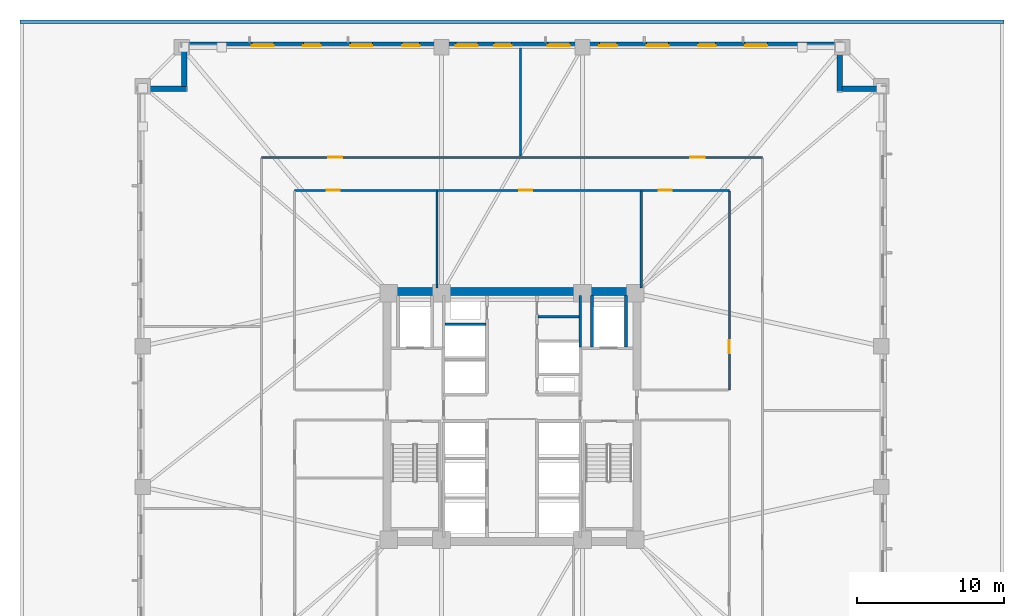
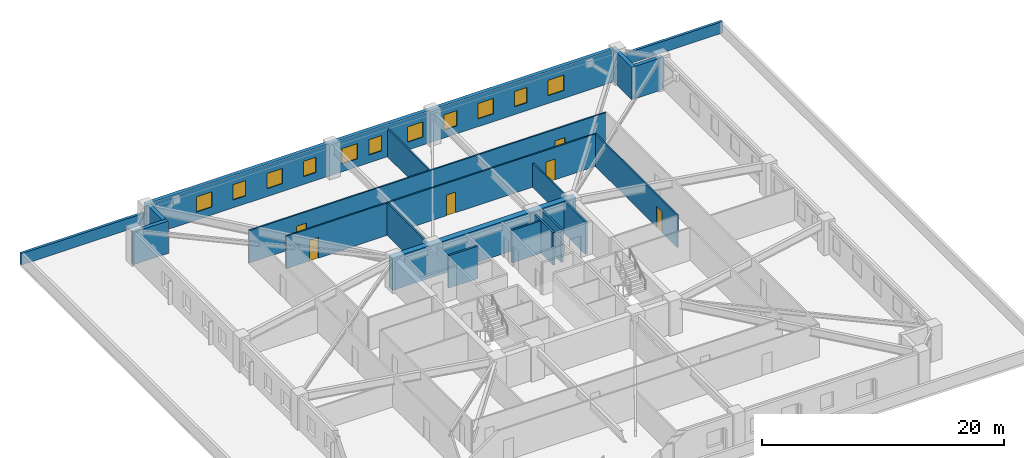
# One storey, part 6 of 12: 18 walls, 11 windows, 6 doors, 17 openings.
"""IFC4 building model written with IfcOpenShell, lengths in metres."""

import ifcopenshell
import ifcopenshell.guid

model = None  # the IFC model being written
_history = None  # IfcOwnerHistory: only IFC2X3 demands one
_inside = {}  # id of a spatial element -> (the spatial element, [elements in it])
_under = {}  # id of a project, library or spatial element -> (it, [spatial elements below it])
_declared = {}  # id of a project -> (the project, [libraries it declares])
_typed = {}  # id of a type object -> (the type object, [elements of that type])
_made_of = {}  # id of a material, layer set ... -> (it, [elements and type objects made of it])


def new_model(schema):
    """Start an empty IFC model of exactly this schema.

    Asked for "IFC4X3", IfcOpenShell would pick the latest addendum, in which some entities
    have other attributes; the version numbers below select the first issue.
    IFC2X3 requires an IfcOwnerHistory on every rooted entity: one is made here for all.
    """
    global model, _history
    if schema == "IFC4X3":
        model = ifcopenshell.file(schema_version=(4, 3, 0, 0))
    else:
        model = ifcopenshell.file(schema=schema)
    _inside.clear()
    _under.clear()
    _declared.clear()
    _typed.clear()
    _made_of.clear()
    _history = None
    if model.schema == "IFC2X3":
        org = make("IfcOrganization", Name="unknown")
        user = make(
            "IfcPersonAndOrganization",
            ThePerson=make("IfcPerson", FamilyName="unknown"),
            TheOrganization=org,
        )
        app = make(
            "IfcApplication",
            ApplicationDeveloper=org,
            Version="unknown",
            ApplicationFullName="unknown",
            ApplicationIdentifier="unknown",
        )
        _history = make(
            "IfcOwnerHistory",
            OwningUser=user,
            OwningApplication=app,
            ChangeAction="ADDED",
            CreationDate=0,
        )
    return model


def make(cls, **values):
    """One entity of the class cls with the attributes given. An attribute that is None is left unset."""
    return model.create_entity(
        cls, **{name: value for name, value in values.items() if value is not None}
    )


def rooted(cls, **values):
    """An entity with a GlobalId (a new one), such as an element, a storey or a relation."""
    return make(cls, GlobalId=ifcopenshell.guid.new(), OwnerHistory=_history, **values)


def si_unit(unit_type, name, prefix=None):
    """IfcSIUnit, for example si_unit("LENGTHUNIT", "METRE", prefix="MILLI")."""
    return make("IfcSIUnit", UnitType=unit_type, Prefix=prefix, Name=name)


def assignment(units):
    """IfcUnitAssignment: the units of a project."""
    return None if units is None else make("IfcUnitAssignment", Units=units)


def point(xyz):
    """IfcCartesianPoint."""
    return None if xyz is None else make("IfcCartesianPoint", Coordinates=xyz)


def direction(xyz):
    """IfcDirection."""
    return None if xyz is None else make("IfcDirection", DirectionRatios=xyz)


def frame(location, z_axis=None, x_axis=None):
    """IfcAxis2Placement3D, a coordinate frame: its origin and axes. An axis left out is left unset."""
    return make(
        "IfcAxis2Placement3D",
        Location=point(location),
        Axis=direction(z_axis),
        RefDirection=direction(x_axis),
    )


def frame_2d(location, x_axis=None):
    """IfcAxis2Placement2D, a coordinate frame in the plane: its origin and x axis."""
    return make(
        "IfcAxis2Placement2D", Location=point(location), RefDirection=direction(x_axis)
    )


def origin():
    """The frame at (0, 0, 0) with its axes left unset."""
    return frame((0.0, 0.0, 0.0))


def place(relative_to, where):
    """IfcLocalPlacement: puts the frame where relative to a parent placement (None: the world)."""
    return make(
        "IfcLocalPlacement", PlacementRelTo=relative_to, RelativePlacement=where
    )


def context(
    kind, dimensions, precision=None, world=None, true_north=None, identifier=None
):
    """IfcGeometricRepresentationContext, for example the 3D "Model" context."""
    return make(
        "IfcGeometricRepresentationContext",
        ContextIdentifier=identifier,
        ContextType=kind,
        CoordinateSpaceDimension=dimensions,
        Precision=precision,
        WorldCoordinateSystem=world,
        TrueNorth=true_north,
    )


def subcontext(parent, identifier, kind, view, scale=None):
    """IfcGeometricRepresentationSubContext, for example "Body" below "Model"."""
    return make(
        "IfcGeometricRepresentationSubContext",
        ContextIdentifier=identifier,
        ContextType=kind,
        ParentContext=parent,
        TargetScale=scale,
        TargetView=view,
    )


def project(units=None, contexts=None):
    """IfcProject with its units and contexts."""
    return rooted(
        "IfcProject",
        Name="project",
        RepresentationContexts=contexts,
        UnitsInContext=assignment(units),
    )


def spatial(cls, under=None, at=None, **own):
    """A site, building, storey or space (cls), placed at a placement, below another one or the project."""
    s = rooted(cls, ObjectPlacement=at, **own)
    if under is not None:
        _under.setdefault(under.id(), (under, []))[1].append(s)
    return s


def profile(cls, at=None, kind="AREA", **sizes):
    """A parametric profile (cls). Its sizes go by their IFC names, for example OverallWidth=200.0."""
    return make(cls, ProfileType=kind, Position=at, **sizes)


def rectangle(**sizes):
    """IfcRectangleProfileDef."""
    return profile("IfcRectangleProfileDef", **sizes)


def extrude(swept, where, along, depth):
    """IfcExtrudedAreaSolid: the profile swept, set in the frame where, extruded along a direction by depth."""
    return make(
        "IfcExtrudedAreaSolid",
        SweptArea=swept,
        Position=where,
        ExtrudedDirection=direction(along),
        Depth=depth,
    )


def shape(context_of_items, identifier, shape_type, items):
    """IfcShapeRepresentation: the items that make up one representation, for example the "Body"."""
    return make(
        "IfcShapeRepresentation",
        ContextOfItems=context_of_items,
        RepresentationIdentifier=identifier,
        RepresentationType=shape_type,
        Items=items,
    )


def material(Name=None, Category=None):
    """IfcMaterial."""
    return make("IfcMaterial", Name=Name, Category=Category)


def layer(
    of_material, thickness, ventilated=None, Name=None, Category=None, Priority=None
):
    """IfcMaterialLayer: one layer of a wall or slab, of a material (None: an air gap)."""
    return make(
        "IfcMaterialLayer",
        Material=of_material,
        LayerThickness=thickness,
        IsVentilated=ventilated,
        Name=Name,
        Category=Category,
        Priority=Priority,
    )


def layer_set(layers, Name=None):
    """IfcMaterialLayerSet."""
    return make("IfcMaterialLayerSet", MaterialLayers=layers, LayerSetName=Name)


def made_of(thing, what):
    """Note that an element or type object is made of a material, layer set ...; save() writes the relation."""
    if what is not None:
        _made_of.setdefault(what.id(), (what, []))[1].append(thing)
    return thing


def type_object(cls, material=None, **own):
    """A type object (cls), such as IfcWallType, which elements share."""
    return made_of(rooted(cls, **own), material)


def element(
    cls,
    number,
    at=None,
    inside=None,
    cuts=None,
    type_object=None,
    material=None,
    context=None,
    identifier="Body",
    shape_type=None,
    held_by="IfcProductDefinitionShape",
    body=None,
    shapes=None,
    **own,
):
    """One element of the class cls, such as IfcWall. Its Tag is "e" and its number.

    at: its placement. inside: the storey or other place that contains it. cuts: it is an
    opening in that element (IfcRelVoidsElement). A single representation is given by context,
    identifier, shape_type and body (its items); several are given by shapes. held_by: the class
    of the entity that holds the representations. save() writes the other relations.
    """
    e = rooted(cls, Tag="e%d" % number, ObjectPlacement=at, **own)
    if body is not None:
        shapes = [shape(context, identifier, shape_type, body)]
    if shapes is not None:
        e.Representation = make(held_by, Representations=shapes)
    if inside is not None:
        _inside.setdefault(inside.id(), (inside, []))[1].append(e)
    if cuts is not None:
        rooted(
            "IfcRelVoidsElement", RelatingBuildingElement=cuts, RelatedOpeningElement=e
        )
    if type_object is not None:
        _typed.setdefault(type_object.id(), (type_object, []))[1].append(e)
    return made_of(e, material)


def fill(opening, filler):
    """IfcRelFillsElement: the door or window that sits in an opening."""
    return rooted(
        "IfcRelFillsElement",
        RelatingOpeningElement=opening,
        RelatedBuildingElement=filler,
    )


def aggregate(whole, parts):
    """IfcRelAggregates: a whole, such as a stair, and the parts it consists of."""
    return rooted("IfcRelAggregates", RelatingObject=whole, RelatedObjects=parts)


def save(model, path):
    """Write the relations noted so far, then the file.

    IfcRelAggregates (storeys below a building ...), IfcRelContainedInSpatialStructure (elements
    in a storey), IfcRelDefinesByType, IfcRelAssociatesMaterial and IfcRelDeclares: one each for
    every whole, place, type object, material and project.
    """
    for whole, parts in _under.values():
        aggregate(whole, parts)
    for where, things in _inside.values():
        rooted(
            "IfcRelContainedInSpatialStructure",
            RelatedElements=things,
            RelatingStructure=where,
        )
    for kind, things in _typed.values():
        rooted("IfcRelDefinesByType", RelatedObjects=things, RelatingType=kind)
    for what, things in _made_of.values():
        rooted("IfcRelAssociatesMaterial", RelatedObjects=things, RelatingMaterial=what)
    for by, libraries in _declared.values():
        rooted("IfcRelDeclares", RelatingContext=by, RelatedDefinitions=libraries)
    model.write(path)


model = new_model("IFC4")

# Units and contexts
model_context = context("Model", 3, precision=1e-05, world=origin(), true_north=direction((0.0, 1.0)))
body_context = subcontext(model_context, "Body", "Model", "MODEL_VIEW")
ifc_project = project(units=[si_unit("LENGTHUNIT", "METRE"), si_unit("AREAUNIT", "SQUARE_METRE"), si_unit("VOLUMEUNIT", "CUBIC_METRE"), si_unit("PLANEANGLEUNIT", "RADIAN"), si_unit("MASSUNIT", "GRAM", prefix="KILO")], contexts=[model_context])

# Site, building, storey
site_placement = place(None, origin())
site = spatial("IfcSite", under=ifc_project, at=site_placement, CompositionType="ELEMENT")
building_placement = place(site_placement, origin())
building = spatial("IfcBuilding", under=site, at=building_placement, Name="Cairnveth Concourse Tower", CompositionType="ELEMENT")
storey_placement = place(building_placement, frame((0.0, 0.0, 23.5)))
storey = spatial("IfcBuildingStorey", under=building, at=storey_placement, Name="L05", CompositionType="ELEMENT", Elevation=23.5)

# Walls
ifc_material_1 = material(Name="Gypsum Plasterboard Partition", Category="gypsum")
ifc_layer_1 = layer(ifc_material_1, 0.159912109375)
ifc_layer_set_1 = layer_set([ifc_layer_1], Name="Gypsum Plasterboard Partition")
wall_type_1 = type_object("IfcWallType", Name="ACOUSTIC PARTY WALL 180", PredefinedType="PARTITIONING", material=ifc_layer_set_1)
wall_1_placement = place(storey_placement, frame((53.784912109375, 45.800048828125, 0.0), z_axis=(0.0, 0.0, 1.0), x_axis=(1.0, 0.0, 0.0)))
element("IfcWall", 1, at=wall_1_placement, inside=storey, type_object=wall_type_1, Name="Interior Wall IW-L05-037", PredefinedType="PARTITIONING", context=body_context, shape_type="SweptSolid", body=[
    extrude(rectangle(XDim=2.7900390625, YDim=0.159912109375, at=frame_2d((1.39501953125, 0.0))), origin(), (0.0, 0.0, 1.0), 3.280029296875),
])
ifc_material_2 = material(Name="Concrete N80 (80 MPa)", Category="concrete")
ifc_layer_2 = layer(ifc_material_2, 0.550048828125)
ifc_layer_set_2 = layer_set([ifc_layer_2], Name="Concrete N80 (80 MPa)")
wall_type_2 = type_object("IfcWallType", Name="CORE SHEAR WALL 550", PredefinedType="SHEAR", material=ifc_layer_set_2)
wall_2_placement = place(storey_placement, frame((43.22509765625, 47.5, 0.0), z_axis=(0.0, 0.0, 1.0), x_axis=(1.0, 0.0, 0.0)))
element("IfcWall", 2, at=wall_2_placement, inside=storey, type_object=wall_type_2, Name="Core North Shear Wall L05", PredefinedType="SHEAR", context=body_context, shape_type="SweptSolid", body=[
    extrude(rectangle(XDim=17.5498046875, YDim=0.550048828125, at=frame_2d((8.77490234375, 0.0))), origin(), (0.0, 0.0, 1.0), 3.280029296875),
])
ifc_material_3 = material(Name="Concrete N50 (50 MPa)", Category="concrete")
ifc_layer_3 = layer(ifc_material_3, 0.179931640625)
ifc_layer_set_3 = layer_set([ifc_layer_3], Name="Concrete N50 (50 MPa)")
wall_type_3 = type_object("IfcWallType", Name="FIRE SHAFT WALL 180", PredefinedType="SOLIDWALL", material=ifc_layer_set_3)
wall_3_placement = place(storey_placement, frame((47.425048828125, 45.280029296875, 0.0), z_axis=(0.0, 0.0, 1.0), x_axis=(1.0, 0.0, 0.0)))
element("IfcWall", 3, at=wall_3_placement, inside=storey, type_object=wall_type_3, Name="Interior Wall IW-L05-033", PredefinedType="SOLIDWALL", context=body_context, shape_type="SweptSolid", body=[
    extrude(rectangle(XDim=2.7900390625, YDim=0.179931640625, at=frame_2d((1.39501953125, 0.0))), origin(), (0.0, 0.0, 1.0), 3.280029296875),
])
wall_4_placement = place(storey_placement, frame((56.64990234375, 43.735107421875, 0.0), z_axis=(0.0, 0.0, 1.0), x_axis=(0.0, 1.0, 0.0)))
element("IfcWall", 4, at=wall_4_placement, inside=storey, type_object=wall_type_3, Name="Interior Wall IW-L05-034", PredefinedType="SOLIDWALL", context=body_context, shape_type="SweptSolid", body=[
    extrude(rectangle(XDim=3.5048828125, YDim=0.179931640625, at=frame_2d((1.75244140625, 0.0))), origin(), (0.0, 0.0, 1.0), 3.280029296875),
])
ifc_layer_4 = layer(ifc_material_3, 0.199951171875)
ifc_layer_set_4 = layer_set([ifc_layer_4], Name="Concrete N50 (50 MPa)")
wall_type_4 = type_object("IfcWallType", Name="FIRE SHAFT WALL 200", PredefinedType="SOLIDWALL", material=ifc_layer_set_4)
for number, where, z_axis, x_axis, name in (
    (5, (57.449951171875, 43.735107421875, 0.0), (0.0, 0.0, 1.0), (0.0, 1.0, 0.0), "Interior Wall IW-L05-023"),
    (6, (59.75, 43.735107421875, 0.0), (0.0, 0.0, 1.0), (0.0, 1.0, 0.0), "Interior Wall IW-L05-024"),
):
    element("IfcWall", number, at=place(storey_placement, frame(where, z_axis=z_axis, x_axis=x_axis)), inside=storey, type_object=wall_type_4, Name=name, PredefinedType="SOLIDWALL", context=body_context, shape_type="SweptSolid", body=[
        extrude(rectangle(XDim=3.5048828125, YDim=0.199951171875, at=frame_2d((1.75244140625, 0.0))), origin(), (0.0, 0.0, 1.0), 3.280029296875),
    ])

# Wall, openings, doors
ifc_layer_5 = layer(ifc_material_1, 0.139892578125)
ifc_layer_set_5 = layer_set([ifc_layer_5], Name="Gypsum Plasterboard Partition")
wall_type_5 = type_object("IfcWallType", Name="GYPSUM STUD PARTITION 140", PredefinedType="PARTITIONING", material=ifc_layer_set_5)
wall_5_placement = place(storey_placement, frame((34.949951171875, 56.64990234375, 0.0), z_axis=(0.0, 0.0, 1.0), x_axis=(1.0, 0.0, 0.0)))
wall_5 = element("IfcWall", 7, at=wall_5_placement, inside=storey, type_object=wall_type_5, Name="Interior Wall IW-L05-039", PredefinedType="PARTITIONING", context=body_context, shape_type="SweptSolid", body=[
    extrude(rectangle(XDim=34.10009765625, YDim=0.139892578125, at=frame_2d((17.050048828125, 0.0))), origin(), (0.0, 0.0, 1.0), 3.280029296875),
])
opening_1_placement = place(wall_5_placement, frame((4.5224609375, 0.0, 0.0)))
opening_1 = element("IfcOpeningElement", 8, at=opening_1_placement, cuts=wall_5, Name="Opening ID11", PredefinedType="OPENING", context=body_context, shape_type="SweptSolid", body=[
    extrude(rectangle(XDim=0.9599609375, YDim=2.1201171875, at=frame_2d((0.47998046875, 1.06005859375))), frame((0.0, 0.079833984375, 0.0), z_axis=(0.0, -1.0, 0.0), x_axis=(1.0, 0.0, 0.0)), (0.0, 0.0, 1.0), 0.159912109375),
])
opening_2_placement = place(wall_5_placement, frame((29.202392578125, 0.0, 0.0)))
opening_2 = element("IfcOpeningElement", 9, at=opening_2_placement, cuts=wall_5, Name="Opening ID11", PredefinedType="OPENING", context=body_context, shape_type="SweptSolid", body=[
    extrude(rectangle(XDim=0.9599609375, YDim=2.1201171875, at=frame_2d((0.47998046875, 1.06005859375))), frame((0.0, 0.079833984375, 0.0), z_axis=(0.0, -1.0, 0.0), x_axis=(1.0, 0.0, 0.0)), (0.0, 0.0, 1.0), 0.159912109375),
])
ifc_material_4 = material(Name="Solid Core Hardwood Timber Leaf", Category="wood")
door_type_1 = type_object("IfcDoorType", Name="INTERIOR SINGLE DOOR 960X2150", OperationType="NOTDEFINED", PredefinedType="DOOR", material=ifc_material_4)
door_1_placement = place(opening_1_placement, origin())
door_1 = element("IfcDoor", 10, at=door_1_placement, inside=storey, type_object=door_type_1, Name="Office Door L05-N1", OperationType="SINGLE_SWING_LEFT", OverallHeight=2.1201171875, OverallWidth=0.9599609375, PredefinedType="DOOR", context=body_context, shape_type="SweptSolid", body=[
    extrude(rectangle(XDim=0.9599609375, YDim=2.1201171875, at=frame_2d((0.47998046875, 1.06005859375))), frame((0.0, 0.02490234375, 0.0), z_axis=(0.0, -1.0, 0.0), x_axis=(1.0, 0.0, 0.0)), (0.0, 0.0, 1.0), 0.050048828125),
])
fill(opening_1, door_1)
door_2_placement = place(opening_2_placement, origin())
door_2 = element("IfcDoor", 11, at=door_2_placement, inside=storey, type_object=door_type_1, Name="Office Door L05-N2", OperationType="SINGLE_SWING_RIGHT", OverallHeight=2.1201171875, OverallWidth=0.9599609375, PredefinedType="DOOR", context=body_context, shape_type="SweptSolid", body=[
    extrude(rectangle(XDim=0.9599609375, YDim=2.1201171875, at=frame_2d((0.47998046875, 1.06005859375))), frame((0.0, 0.02490234375, 0.0), z_axis=(0.0, -1.0, 0.0), x_axis=(1.0, 0.0, 0.0)), (0.0, 0.0, 1.0), 0.050048828125),
])
fill(opening_2, door_2)

wall_6_placement = place(storey_placement, frame((37.199951171875, 54.39990234375, 0.0), z_axis=(0.0, 0.0, 1.0), x_axis=(1.0, 0.0, 0.0)))
wall_6 = element("IfcWall", 12, at=wall_6_placement, inside=storey, type_object=wall_type_5, Name="Interior Wall IW-L05-043", PredefinedType="PARTITIONING", context=body_context, shape_type="SweptSolid", body=[
    extrude(rectangle(XDim=29.60009765625, YDim=0.139892578125, at=frame_2d((14.800048828125, 0.0))), origin(), (0.0, 0.0, 1.0), 3.280029296875),
])
opening_3_placement = place(wall_6_placement, frame((2.199951171875, 0.0, 0.0)))
opening_3 = element("IfcOpeningElement", 13, at=opening_3_placement, cuts=wall_6, Name="Opening ID18", PredefinedType="OPENING", context=body_context, shape_type="SweptSolid", body=[
    extrude(rectangle(XDim=0.8798828125, YDim=2.10009765625, at=frame_2d((0.43994140625, 1.050048828125))), frame((0.0, 0.079833984375, 0.0), z_axis=(0.0, -1.0, 0.0), x_axis=(1.0, 0.0, 0.0)), (0.0, 0.0, 1.0), 0.159912109375),
])
opening_4_placement = place(wall_6_placement, frame((15.300048828125, 0.0, 0.0)))
opening_4 = element("IfcOpeningElement", 14, at=opening_4_placement, cuts=wall_6, Name="Opening ID18", PredefinedType="OPENING", context=body_context, shape_type="SweptSolid", body=[
    extrude(rectangle(XDim=0.8798828125, YDim=2.10009765625, at=frame_2d((0.43994140625, 1.050048828125))), frame((0.0, 0.079833984375, 0.0), z_axis=(0.0, -1.0, 0.0), x_axis=(1.0, 0.0, 0.0)), (0.0, 0.0, 1.0), 0.159912109375),
])
opening_5_placement = place(wall_6_placement, frame((24.800048828125, 0.0, 0.0)))
opening_5 = element("IfcOpeningElement", 15, at=opening_5_placement, cuts=wall_6, Name="Opening ID18", PredefinedType="OPENING", context=body_context, shape_type="SweptSolid", body=[
    extrude(rectangle(XDim=0.8798828125, YDim=2.10009765625, at=frame_2d((0.43994140625, 1.050048828125))), frame((0.0, 0.079833984375, 0.0), z_axis=(0.0, -1.0, 0.0), x_axis=(1.0, 0.0, 0.0)), (0.0, 0.0, 1.0), 0.159912109375),
])
door_type_2 = type_object("IfcDoorType", Name="INTERIOR SINGLE DOOR 880X2100", OperationType="NOTDEFINED", PredefinedType="DOOR", material=ifc_material_4)
door_3_placement = place(opening_3_placement, origin())
door_3 = element("IfcDoor", 16, at=door_3_placement, inside=storey, type_object=door_type_2, Name="Interior Door DR-L05-017", OperationType="SINGLE_SWING_LEFT", OverallHeight=2.10009765625, OverallWidth=0.8798828125, PredefinedType="DOOR", context=body_context, shape_type="SweptSolid", body=[
    extrude(rectangle(XDim=0.8798828125, YDim=2.10009765625, at=frame_2d((0.43994140625, 1.050048828125))), frame((0.0, 0.02490234375, 0.0), z_axis=(0.0, -1.0, 0.0), x_axis=(1.0, 0.0, 0.0)), (0.0, 0.0, 1.0), 0.050048828125),
])
fill(opening_3, door_3)
door_4_placement = place(opening_4_placement, origin())
door_4 = element("IfcDoor", 17, at=door_4_placement, inside=storey, type_object=door_type_2, Name="Interior Door DR-L05-018", OperationType="SINGLE_SWING_RIGHT", OverallHeight=2.10009765625, OverallWidth=0.8798828125, PredefinedType="DOOR", context=body_context, shape_type="SweptSolid", body=[
    extrude(rectangle(XDim=0.8798828125, YDim=2.10009765625, at=frame_2d((0.43994140625, 1.050048828125))), frame((0.0, 0.02490234375, 0.0), z_axis=(0.0, -1.0, 0.0), x_axis=(1.0, 0.0, 0.0)), (0.0, 0.0, 1.0), 0.050048828125),
])
fill(opening_4, door_4)
door_5_placement = place(opening_5_placement, origin())
door_5 = element("IfcDoor", 18, at=door_5_placement, inside=storey, type_object=door_type_2, Name="Interior Door DR-L05-019", OperationType="SINGLE_SWING_LEFT", OverallHeight=2.10009765625, OverallWidth=0.8798828125, PredefinedType="DOOR", context=body_context, shape_type="SweptSolid", body=[
    extrude(rectangle(XDim=0.8798828125, YDim=2.10009765625, at=frame_2d((0.43994140625, 1.050048828125))), frame((0.0, 0.02490234375, 0.0), z_axis=(0.0, -1.0, 0.0), x_axis=(1.0, 0.0, 0.0)), (0.0, 0.0, 1.0), 0.050048828125),
])
fill(opening_5, door_5)

# Wall, opening, door
wall_7_placement = place(storey_placement, frame((66.800048828125, 40.800048828125, 0.0), z_axis=(0.0, 0.0, 1.0), x_axis=(0.0, 1.0, 0.0)))
wall_7 = element("IfcWall", 19, at=wall_7_placement, inside=storey, type_object=wall_type_5, Name="Interior Wall IW-L05-049", PredefinedType="PARTITIONING", context=body_context, shape_type="SweptSolid", body=[
    extrude(rectangle(XDim=13.544921875, YDim=0.139892578125, at=frame_2d((6.7724609375, 0.0))), origin(), (0.0, 0.0, 1.0), 3.280029296875),
])
opening_6_placement = place(wall_7_placement, frame((2.5, 0.0, 0.0)))
opening_6 = element("IfcOpeningElement", 20, at=opening_6_placement, cuts=wall_7, Name="Opening ID18", PredefinedType="OPENING", context=body_context, shape_type="SweptSolid", body=[
    extrude(rectangle(XDim=0.8798828125, YDim=2.10009765625, at=frame_2d((0.43994140625, 1.050048828125))), frame((0.0, 0.079833984375, 0.0), z_axis=(0.0, -1.0, 0.0), x_axis=(1.0, 0.0, 0.0)), (0.0, 0.0, 1.0), 0.159912109375),
])
door_6_placement = place(opening_6_placement, origin())
door_6 = element("IfcDoor", 21, at=door_6_placement, inside=storey, type_object=door_type_2, Name="Interior Door DR-L05-024", OperationType="SINGLE_SWING_RIGHT", OverallHeight=2.10009765625, OverallWidth=0.8798828125, PredefinedType="DOOR", context=body_context, shape_type="SweptSolid", body=[
    extrude(rectangle(XDim=0.8798828125, YDim=2.10009765625, at=frame_2d((0.43994140625, 1.050048828125))), frame((0.0, 0.02490234375, 0.0), z_axis=(0.0, -1.0, 0.0), x_axis=(1.0, 0.0, 0.0)), (0.0, 0.0, 1.0), 0.050048828125),
])
fill(opening_6, door_6)

# Walls
wall_8_placement = place(storey_placement, frame((46.89990234375, 47.760009765625, 0.0), z_axis=(0.0, 0.0, 1.0), x_axis=(0.0, 1.0, 0.0)))
element("IfcWall", 22, at=wall_8_placement, inside=storey, type_object=wall_type_5, Name="Interior Wall IW-L05-054", PredefinedType="PARTITIONING", context=body_context, shape_type="SweptSolid", body=[
    extrude(rectangle(XDim=6.5849609375, YDim=0.139892578125, at=frame_2d((3.29248046875, 0.0))), origin(), (0.0, 0.0, 1.0), 3.280029296875),
])
wall_9_placement = place(storey_placement, frame((60.800048828125, 47.760009765625, 0.0), z_axis=(0.0, 0.0, 1.0), x_axis=(0.0, 1.0, 0.0)))
element("IfcWall", 23, at=wall_9_placement, inside=storey, type_object=wall_type_5, Name="Interior Wall IW-L05-055", PredefinedType="PARTITIONING", context=body_context, shape_type="SweptSolid", body=[
    extrude(rectangle(XDim=6.5849609375, YDim=0.139892578125, at=frame_2d((3.29248046875, 0.0))), origin(), (0.0, 0.0, 1.0), 2.43896484375),
])
wall_10_placement = place(storey_placement, frame((52.5849609375, 56.75, 0.0), z_axis=(0.0, 0.0, 1.0), x_axis=(0.0, 1.0, 0.0)))
element("IfcWall", 24, at=wall_10_placement, inside=storey, type_object=wall_type_5, Name="Interior Wall IW-L05-058", PredefinedType="PARTITIONING", context=body_context, shape_type="SweptSolid", body=[
    extrude(rectangle(XDim=7.330078125, YDim=0.139892578125, at=frame_2d((3.6650390625, 0.0))), origin(), (0.0, 0.0, 1.0), 2.84912109375),
])
ifc_material_5 = material(Name="Hawthorn Red-Ochre Fired Clay Brick Masonry", Category="masonry")
ifc_layer_6 = layer(ifc_material_5, 0.25)
ifc_layer_set_6 = layer_set([ifc_layer_6], Name="Hawthorn Red-Ochre Fired Clay Brick Masonry")
wall_type_6 = type_object("IfcWallType", Name="ROOF MASONRY PARAPET WALL 250", PredefinedType="PARAPET", material=ifc_layer_set_6)
wall_11_placement = place(storey_placement, frame((18.5, 65.8701171875, 0.0), z_axis=(0.0, 0.0, 1.0), x_axis=(1.0, 0.0, 0.0)))
element("IfcWall", 25, at=wall_11_placement, inside=storey, type_object=wall_type_6, Name="Exterior Wall EP-L05-POD-N", PredefinedType="PARAPET", context=body_context, shape_type="SweptSolid", body=[
    extrude(rectangle(XDim=67.0, YDim=0.25, at=frame_2d((33.5, 0.0))), origin(), (0.0, 0.0, 1.0), 1.14990234375),
])
ifc_layer_7 = layer(ifc_material_5, 0.360107421875)
ifc_layer_set_7 = layer_set([ifc_layer_7], Name="Hawthorn Red-Ochre Fired Clay Brick Masonry")
wall_type_7 = type_object("IfcWallType", Name="ZONE 1 BRICK PIER SPANDREL WALL 360", PredefinedType="SOLIDWALL", material=ifc_layer_set_7)
wall_12_placement = place(storey_placement, frame((26.5, 61.320068359375, 0.0), z_axis=(0.0, 0.0, 1.0), x_axis=(1.0, 0.0, 0.0)))
element("IfcWall", 26, at=wall_12_placement, inside=storey, type_object=wall_type_7, Name="Exterior Wall EW-L05-S04", PredefinedType="SOLIDWALL", context=body_context, shape_type="SweptSolid", body=[
    extrude(rectangle(XDim=3.360107421875, YDim=0.360107421875, at=frame_2d((1.68017578125, 0.0))), origin(), (0.0, 0.0, 1.0), 3.280029296875),
])
wall_13_placement = place(storey_placement, frame((29.679931640625, 61.47802734375, 0.0), z_axis=(0.0, 0.0, 1.0), x_axis=(0.0, 1.0, 0.0)))
element("IfcWall", 27, at=wall_13_placement, inside=storey, type_object=wall_type_7, Name="Exterior Wall EW-L05-S05", PredefinedType="SOLIDWALL", context=body_context, shape_type="SweptSolid", body=[
    extrude(rectangle(XDim=2.68408203125, YDim=0.360107421875, at=frame_2d((1.342041015625, 0.0))), origin(), (0.0, 0.0, 1.0), 3.280029296875),
])

# Wall, openings, windows
wall_14_placement = place(storey_placement, frame((29.5, 64.320068359375, 0.0), z_axis=(0.0, 0.0, 1.0), x_axis=(1.0, 0.0, 0.0)))
wall_14 = element("IfcWall", 28, at=wall_14_placement, inside=storey, type_object=wall_type_7, Name="Exterior Wall EW-L05-S06", PredefinedType="SOLIDWALL", context=body_context, shape_type="SweptSolid", body=[
    extrude(rectangle(XDim=44.662109375, YDim=0.360107421875, at=frame_2d((22.3310546875, 0.0))), origin(), (0.0, 0.0, 1.0), 3.280029296875),
])
opening_7_placement = place(wall_14_placement, frame((4.780029296875, 0.0, 0.800048828125)))
opening_7 = element("IfcOpeningElement", 29, at=opening_7_placement, cuts=wall_14, Name="Opening W03", PredefinedType="OPENING", context=body_context, shape_type="SweptSolid", body=[
    extrude(rectangle(XDim=1.5, YDim=1.5439453125, at=frame_2d((0.75, 0.77197265625))), frame((0.0, 0.18994140625, 0.0), z_axis=(0.0, -1.0, 0.0), x_axis=(1.0, 0.0, 0.0)), (0.0, 0.0, 1.0), 0.380126953125),
])
opening_8_placement = place(wall_14_placement, frame((8.290283203125, 0.0, 0.800048828125)))
opening_8 = element("IfcOpeningElement", 30, at=opening_8_placement, cuts=wall_14, Name="Opening W01", PredefinedType="OPENING", context=body_context, shape_type="SweptSolid", body=[
    extrude(rectangle(XDim=1.199951171875, YDim=1.5439453125, at=frame_2d((0.60009765625, 0.77197265625))), frame((0.0, 0.18994140625, 0.0), z_axis=(0.0, -1.0, 0.0), x_axis=(1.0, 0.0, 0.0)), (0.0, 0.0, 1.0), 0.380126953125),
])
opening_9_placement = place(wall_14_placement, frame((11.50048828125, 0.0, 0.800048828125)))
opening_9 = element("IfcOpeningElement", 31, at=opening_9_placement, cuts=wall_14, Name="Opening W03", PredefinedType="OPENING", context=body_context, shape_type="SweptSolid", body=[
    extrude(rectangle(XDim=1.5, YDim=1.5439453125, at=frame_2d((0.75, 0.77197265625))), frame((0.0, 0.18994140625, 0.0), z_axis=(0.0, -1.0, 0.0), x_axis=(1.0, 0.0, 0.0)), (0.0, 0.0, 1.0), 0.380126953125),
])
opening_10_placement = place(wall_14_placement, frame((15.010498046875, 0.0, 0.800048828125)))
opening_10 = element("IfcOpeningElement", 32, at=opening_10_placement, cuts=wall_14, Name="Opening W01", PredefinedType="OPENING", context=body_context, shape_type="SweptSolid", body=[
    extrude(rectangle(XDim=1.199951171875, YDim=1.5439453125, at=frame_2d((0.60009765625, 0.77197265625))), frame((0.0, 0.18994140625, 0.0), z_axis=(0.0, -1.0, 0.0), x_axis=(1.0, 0.0, 0.0)), (0.0, 0.0, 1.0), 0.380126953125),
])
opening_11_placement = place(wall_14_placement, frame((18.6708984375, 0.0, 0.800048828125)))
opening_11 = element("IfcOpeningElement", 33, at=opening_11_placement, cuts=wall_14, Name="Opening W03", PredefinedType="OPENING", context=body_context, shape_type="SweptSolid", body=[
    extrude(rectangle(XDim=1.5, YDim=1.5439453125, at=frame_2d((0.75, 0.77197265625))), frame((0.0, 0.18994140625, 0.0), z_axis=(0.0, -1.0, 0.0), x_axis=(1.0, 0.0, 0.0)), (0.0, 0.0, 1.0), 0.380126953125),
])
opening_12_placement = place(wall_14_placement, frame((21.281005859375, 0.0, 0.800048828125)))
opening_12 = element("IfcOpeningElement", 34, at=opening_12_placement, cuts=wall_14, Name="Opening W01", PredefinedType="OPENING", context=body_context, shape_type="SweptSolid", body=[
    extrude(rectangle(XDim=1.199951171875, YDim=1.5439453125, at=frame_2d((0.60009765625, 0.77197265625))), frame((0.0, 0.18994140625, 0.0), z_axis=(0.0, -1.0, 0.0), x_axis=(1.0, 0.0, 0.0)), (0.0, 0.0, 1.0), 0.380126953125),
])
opening_13_placement = place(wall_14_placement, frame((24.941162109375, 0.0, 0.800048828125)))
opening_13 = element("IfcOpeningElement", 35, at=opening_13_placement, cuts=wall_14, Name="Opening W03", PredefinedType="OPENING", context=body_context, shape_type="SweptSolid", body=[
    extrude(rectangle(XDim=1.5, YDim=1.5439453125, at=frame_2d((0.75, 0.77197265625))), frame((0.0, 0.18994140625, 0.0), z_axis=(0.0, -1.0, 0.0), x_axis=(1.0, 0.0, 0.0)), (0.0, 0.0, 1.0), 0.380126953125),
])
opening_14_placement = place(wall_14_placement, frame((28.451416015625, 0.0, 0.800048828125)))
opening_14 = element("IfcOpeningElement", 36, at=opening_14_placement, cuts=wall_14, Name="Opening W01", PredefinedType="OPENING", context=body_context, shape_type="SweptSolid", body=[
    extrude(rectangle(XDim=1.199951171875, YDim=1.5439453125, at=frame_2d((0.60009765625, 0.77197265625))), frame((0.0, 0.18994140625, 0.0), z_axis=(0.0, -1.0, 0.0), x_axis=(1.0, 0.0, 0.0)), (0.0, 0.0, 1.0), 0.380126953125),
])
opening_15_placement = place(wall_14_placement, frame((31.66162109375, 0.0, 0.800048828125)))
opening_15 = element("IfcOpeningElement", 37, at=opening_15_placement, cuts=wall_14, Name="Opening W03", PredefinedType="OPENING", context=body_context, shape_type="SweptSolid", body=[
    extrude(rectangle(XDim=1.5, YDim=1.5439453125, at=frame_2d((0.75, 0.77197265625))), frame((0.0, 0.18994140625, 0.0), z_axis=(0.0, -1.0, 0.0), x_axis=(1.0, 0.0, 0.0)), (0.0, 0.0, 1.0), 0.380126953125),
])
opening_16_placement = place(wall_14_placement, frame((35.171630859375, 0.0, 0.800048828125)))
opening_16 = element("IfcOpeningElement", 38, at=opening_16_placement, cuts=wall_14, Name="Opening W01", PredefinedType="OPENING", context=body_context, shape_type="SweptSolid", body=[
    extrude(rectangle(XDim=1.199951171875, YDim=1.5439453125, at=frame_2d((0.60009765625, 0.77197265625))), frame((0.0, 0.18994140625, 0.0), z_axis=(0.0, -1.0, 0.0), x_axis=(1.0, 0.0, 0.0)), (0.0, 0.0, 1.0), 0.380126953125),
])
opening_17_placement = place(wall_14_placement, frame((38.3818359375, 0.0, 0.800048828125)))
opening_17 = element("IfcOpeningElement", 39, at=opening_17_placement, cuts=wall_14, Name="Opening W03", PredefinedType="OPENING", context=body_context, shape_type="SweptSolid", body=[
    extrude(rectangle(XDim=1.5, YDim=1.5439453125, at=frame_2d((0.75, 0.77197265625))), frame((0.0, 0.18994140625, 0.0), z_axis=(0.0, -1.0, 0.0), x_axis=(1.0, 0.0, 0.0)), (0.0, 0.0, 1.0), 0.380126953125),
])
ifc_material_6 = material(Name="Double Glazed Low-E Clear Glass", Category="glass")
window_type_1 = type_object("IfcWindowType", Name="DEEP-SET GOTHIC LANCET WINDOW 1200X1800", PartitioningType="DOUBLE_PANEL_VERTICAL", PredefinedType="WINDOW", material=ifc_material_6)
window_1_placement = place(opening_8_placement, origin())
window_1 = element("IfcWindow", 40, at=window_1_placement, inside=storey, type_object=window_type_1, Name="Gothic Lancet Window L05-6-2", OverallHeight=1.5439453125, OverallWidth=1.199951171875, PartitioningType="SINGLE_PANEL", PredefinedType="WINDOW", context=body_context, shape_type="SweptSolid", body=[
    extrude(rectangle(XDim=1.199951171875, YDim=1.5439453125, at=frame_2d((0.60009765625, 0.77197265625))), frame((0.0, -0.050048828125, 0.0), z_axis=(0.0, -1.0, 0.0), x_axis=(1.0, 0.0, 0.0)), (0.0, 0.0, 1.0), 0.06005859375),
])
fill(opening_8, window_1)
window_2_placement = place(opening_10_placement, origin())
window_2 = element("IfcWindow", 41, at=window_2_placement, inside=storey, type_object=window_type_1, Name="Gothic Lancet Window L05-6-4", OverallHeight=1.5439453125, OverallWidth=1.199951171875, PartitioningType="SINGLE_PANEL", PredefinedType="WINDOW", context=body_context, shape_type="SweptSolid", body=[
    extrude(rectangle(XDim=1.199951171875, YDim=1.5439453125, at=frame_2d((0.60009765625, 0.77197265625))), frame((0.0, -0.050048828125, 0.0), z_axis=(0.0, -1.0, 0.0), x_axis=(1.0, 0.0, 0.0)), (0.0, 0.0, 1.0), 0.06005859375),
])
fill(opening_10, window_2)
window_3_placement = place(opening_12_placement, origin())
window_3 = element("IfcWindow", 42, at=window_3_placement, inside=storey, type_object=window_type_1, Name="Gothic Lancet Window L05-6-6", OverallHeight=1.5439453125, OverallWidth=1.199951171875, PartitioningType="SINGLE_PANEL", PredefinedType="WINDOW", context=body_context, shape_type="SweptSolid", body=[
    extrude(rectangle(XDim=1.199951171875, YDim=1.5439453125, at=frame_2d((0.60009765625, 0.77197265625))), frame((0.0, -0.050048828125, 0.0), z_axis=(0.0, -1.0, 0.0), x_axis=(1.0, 0.0, 0.0)), (0.0, 0.0, 1.0), 0.06005859375),
])
fill(opening_12, window_3)
window_4_placement = place(opening_14_placement, origin())
window_4 = element("IfcWindow", 43, at=window_4_placement, inside=storey, type_object=window_type_1, Name="Gothic Lancet Window L05-6-8", OverallHeight=1.5439453125, OverallWidth=1.199951171875, PartitioningType="SINGLE_PANEL", PredefinedType="WINDOW", context=body_context, shape_type="SweptSolid", body=[
    extrude(rectangle(XDim=1.199951171875, YDim=1.5439453125, at=frame_2d((0.60009765625, 0.77197265625))), frame((0.0, -0.050048828125, 0.0), z_axis=(0.0, -1.0, 0.0), x_axis=(1.0, 0.0, 0.0)), (0.0, 0.0, 1.0), 0.06005859375),
])
fill(opening_14, window_4)
window_5_placement = place(opening_16_placement, origin())
window_5 = element("IfcWindow", 44, at=window_5_placement, inside=storey, type_object=window_type_1, Name="Gothic Lancet Window L05-6-10", OverallHeight=1.5439453125, OverallWidth=1.199951171875, PartitioningType="SINGLE_PANEL", PredefinedType="WINDOW", context=body_context, shape_type="SweptSolid", body=[
    extrude(rectangle(XDim=1.199951171875, YDim=1.5439453125, at=frame_2d((0.60009765625, 0.77197265625))), frame((0.0, -0.050048828125, 0.0), z_axis=(0.0, -1.0, 0.0), x_axis=(1.0, 0.0, 0.0)), (0.0, 0.0, 1.0), 0.06005859375),
])
fill(opening_16, window_5)
window_type_2 = type_object("IfcWindowType", Name="DEEP-SET GOTHIC LANCET WINDOW 1500X1800", PartitioningType="DOUBLE_PANEL_VERTICAL", PredefinedType="WINDOW", material=ifc_material_6)
window_6_placement = place(opening_7_placement, origin())
window_6 = element("IfcWindow", 45, at=window_6_placement, inside=storey, type_object=window_type_2, Name="Gothic Lancet Window L05-6-1", OverallHeight=1.5439453125, OverallWidth=1.5, PartitioningType="SINGLE_PANEL", PredefinedType="WINDOW", context=body_context, shape_type="SweptSolid", body=[
    extrude(rectangle(XDim=1.5, YDim=1.5439453125, at=frame_2d((0.75, 0.77197265625))), frame((0.0, -0.050048828125, 0.0), z_axis=(0.0, -1.0, 0.0), x_axis=(1.0, 0.0, 0.0)), (0.0, 0.0, 1.0), 0.06005859375),
])
fill(opening_7, window_6)
window_7_placement = place(opening_9_placement, origin())
window_7 = element("IfcWindow", 46, at=window_7_placement, inside=storey, type_object=window_type_2, Name="Gothic Lancet Window L05-6-3", OverallHeight=1.5439453125, OverallWidth=1.5, PartitioningType="SINGLE_PANEL", PredefinedType="WINDOW", context=body_context, shape_type="SweptSolid", body=[
    extrude(rectangle(XDim=1.5, YDim=1.5439453125, at=frame_2d((0.75, 0.77197265625))), frame((0.0, -0.050048828125, 0.0), z_axis=(0.0, -1.0, 0.0), x_axis=(1.0, 0.0, 0.0)), (0.0, 0.0, 1.0), 0.06005859375),
])
fill(opening_9, window_7)
window_8_placement = place(opening_11_placement, origin())
window_8 = element("IfcWindow", 47, at=window_8_placement, inside=storey, type_object=window_type_2, Name="Gothic Lancet Window L05-6-5", OverallHeight=1.5439453125, OverallWidth=1.5, PartitioningType="SINGLE_PANEL", PredefinedType="WINDOW", context=body_context, shape_type="SweptSolid", body=[
    extrude(rectangle(XDim=1.5, YDim=1.5439453125, at=frame_2d((0.75, 0.77197265625))), frame((0.0, -0.050048828125, 0.0), z_axis=(0.0, -1.0, 0.0), x_axis=(1.0, 0.0, 0.0)), (0.0, 0.0, 1.0), 0.06005859375),
])
fill(opening_11, window_8)
window_9_placement = place(opening_13_placement, origin())
window_9 = element("IfcWindow", 48, at=window_9_placement, inside=storey, type_object=window_type_2, Name="Gothic Lancet Window L05-6-7", OverallHeight=1.5439453125, OverallWidth=1.5, PartitioningType="SINGLE_PANEL", PredefinedType="WINDOW", context=body_context, shape_type="SweptSolid", body=[
    extrude(rectangle(XDim=1.5, YDim=1.5439453125, at=frame_2d((0.75, 0.77197265625))), frame((0.0, -0.050048828125, 0.0), z_axis=(0.0, -1.0, 0.0), x_axis=(1.0, 0.0, 0.0)), (0.0, 0.0, 1.0), 0.06005859375),
])
fill(opening_13, window_9)
window_10_placement = place(opening_15_placement, origin())
window_10 = element("IfcWindow", 49, at=window_10_placement, inside=storey, type_object=window_type_2, Name="Gothic Lancet Window L05-6-9", OverallHeight=1.5439453125, OverallWidth=1.5, PartitioningType="SINGLE_PANEL", PredefinedType="WINDOW", context=body_context, shape_type="SweptSolid", body=[
    extrude(rectangle(XDim=1.5, YDim=1.5439453125, at=frame_2d((0.75, 0.77197265625))), frame((0.0, -0.050048828125, 0.0), z_axis=(0.0, -1.0, 0.0), x_axis=(1.0, 0.0, 0.0)), (0.0, 0.0, 1.0), 0.06005859375),
])
fill(opening_15, window_10)
window_11_placement = place(opening_17_placement, origin())
window_11 = element("IfcWindow", 50, at=window_11_placement, inside=storey, type_object=window_type_2, Name="Gothic Lancet Window L05-6-11", OverallHeight=1.5439453125, OverallWidth=1.5, PartitioningType="SINGLE_PANEL", PredefinedType="WINDOW", context=body_context, shape_type="SweptSolid", body=[
    extrude(rectangle(XDim=1.5, YDim=1.5439453125, at=frame_2d((0.75, 0.77197265625))), frame((0.0, -0.050048828125, 0.0), z_axis=(0.0, -1.0, 0.0), x_axis=(1.0, 0.0, 0.0)), (0.0, 0.0, 1.0), 0.06005859375),
])
fill(opening_17, window_11)

# Walls
wall_15_placement = place(storey_placement, frame((74.320068359375, 64.5, 0.0), z_axis=(0.0, 0.0, 1.0), x_axis=(0.0, -1.0, 0.0)))
element("IfcWall", 51, at=wall_15_placement, inside=storey, type_object=wall_type_7, Name="Exterior Wall EW-L05-S07", PredefinedType="SOLIDWALL", context=body_context, shape_type="SweptSolid", body=[
    extrude(rectangle(XDim=3.360107421875, YDim=0.360107421875, at=frame_2d((1.68017578125, 0.0))), origin(), (0.0, 0.0, 1.0), 3.280029296875),
])
wall_16_placement = place(storey_placement, frame((74.47802734375, 61.320068359375, 0.0), z_axis=(0.0, 0.0, 1.0), x_axis=(1.0, 0.0, 0.0)))
element("IfcWall", 52, at=wall_16_placement, inside=storey, type_object=wall_type_7, Name="Exterior Wall EW-L05-S08", PredefinedType="SOLIDWALL", context=body_context, shape_type="SweptSolid", body=[
    extrude(rectangle(XDim=2.68408203125, YDim=0.360107421875, at=frame_2d((1.342041015625, 0.0))), origin(), (0.0, 0.0, 1.0), 3.280029296875),
])

save(model, "model.ifc")
